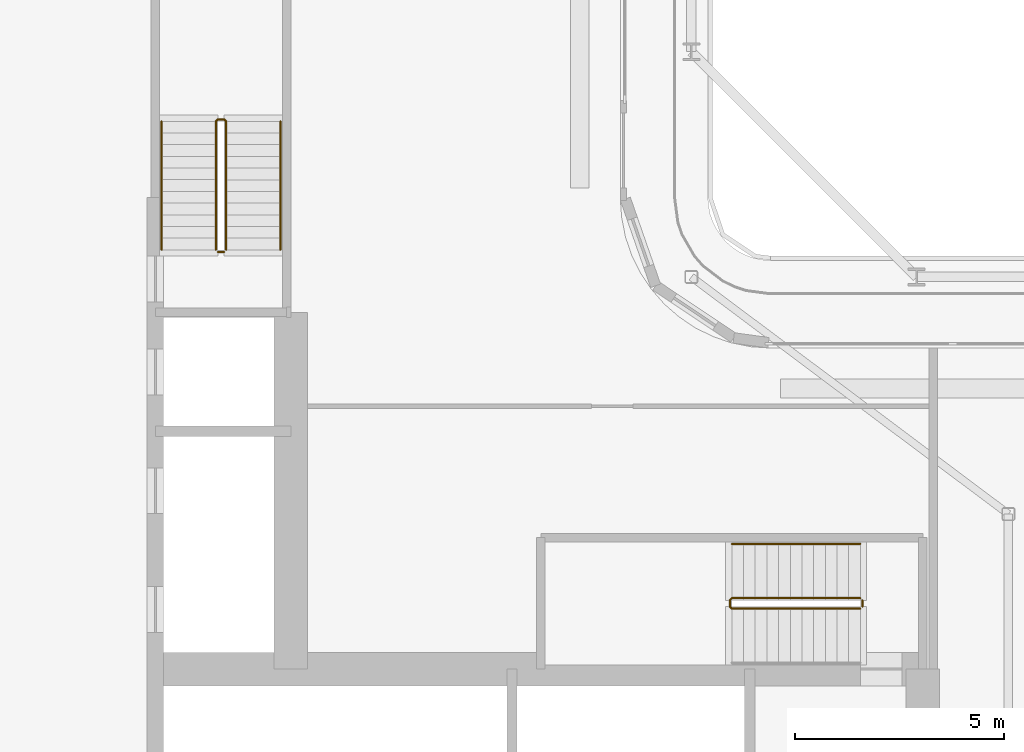
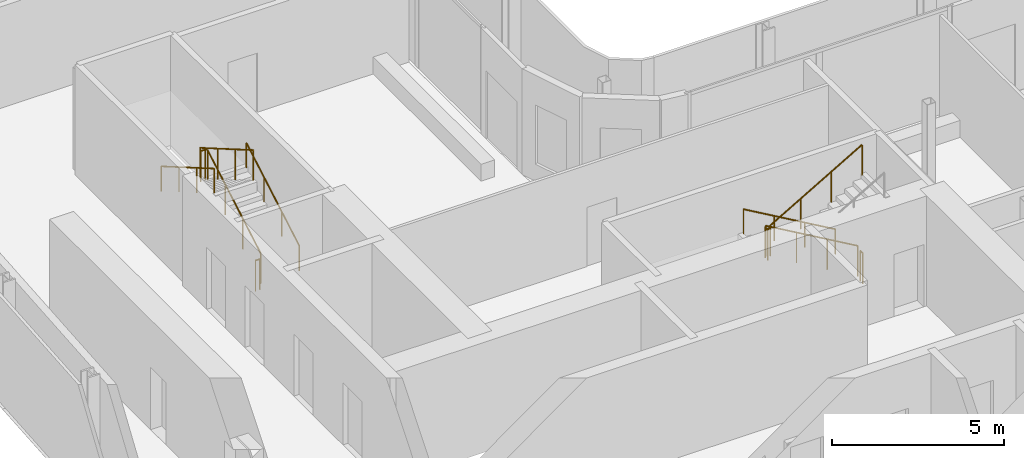
# One storey, part 25 of 30: 7 railings.
"""IFC4 building model written with IfcOpenShell, lengths in metres."""

from ifc_helpers import new_model, si_unit, direction, frame, origin, origin_2d, place, context, subcontext, project, spatial, circle, extrude, material, type_object, element, save


model = new_model("IFC4")

# Units and contexts
model_context = context("Model", 3, precision=1e-05, world=origin(), true_north=direction((0.0, 1.0)))
body_context = subcontext(model_context, "Body", "Model", "MODEL_VIEW")
ifc_project = project(units=[si_unit("LENGTHUNIT", "METRE"), si_unit("AREAUNIT", "SQUARE_METRE"), si_unit("VOLUMEUNIT", "CUBIC_METRE"), si_unit("PLANEANGLEUNIT", "RADIAN"), si_unit("MASSUNIT", "GRAM", prefix="KILO")], contexts=[model_context])

# Site, building, storey
site_placement = place(None, origin())
site = spatial("IfcSite", under=ifc_project, at=site_placement, CompositionType="ELEMENT")
building_placement = place(site_placement, origin())
building = spatial("IfcBuilding", under=site, at=building_placement, Name="Kheshtan School and Residences Tower", CompositionType="ELEMENT")
storey_placement = place(building_placement, frame((0.0, 0.0, 164.300048828125)))
storey = spatial("IfcBuildingStorey", under=building, at=storey_placement, Name="L38", CompositionType="ELEMENT", Elevation=164.300048828125)

# Railings
ifc_material_1 = material(Name="Stainless steel balustrade", Category="steel")
railing_type_1 = type_object("IfcRailingType", Name="Stair guard 1100", PredefinedType="GUARDRAIL", material=ifc_material_1)
railing_1_placement = place(storey_placement, frame((51.64990234375, 37.89990234375, 0.162353515625)))
element("IfcRailing", 1, at=railing_1_placement, inside=storey, type_object=railing_type_1, Name="L38 ST1 stair guard 1", PredefinedType="GUARDRAIL", context=body_context, shape_type="SweptSolid", body=[
    extrude(circle(Radius=0.02392578125, at=origin_2d()), frame((0.0, 0.0, 1.076171875), z_axis=(-0.864873446163, 0.0, 0.501989962173), x_axis=(0.0, -1.0, 0.0)), (0.0, 0.0, 1.0), 3.56103515625),
    extrude(circle(Radius=0.02392578125, at=origin_2d()), frame((-3.079833984375, 0.0, 2.86376953125), z_axis=(-0.708833529934, -0.705375805398, 0.0), x_axis=(0.705375805398, -0.708833529934, 0.0)), (0.0, 0.0, 1.0), 0.070556640625),
    extrude(circle(Radius=0.02392578125, at=origin_2d()), frame((-3.1298828125, -0.0498046875, 2.86376953125), z_axis=(0.0, -1.0, 0.0), x_axis=(1.0, 0.0, 0.0)), (0.0, 0.0, 1.0), 0.150146484375),
    extrude(circle(Radius=0.02392578125, at=origin_2d()), frame((-3.1298828125, -0.199951171875, 2.86376953125), z_axis=(0.282227285176, -0.282227285176, 0.916894497205), x_axis=(0.707106781187, 0.707106781187, 0.0)), (0.0, 0.0, 1.0), 0.17724609375),
    extrude(circle(Radius=0.02392578125, at=origin_2d()), frame((-3.079833984375, -0.25, 3.0263671875), z_axis=(0.864903211148, 0.0, 0.501938676878), x_axis=(0.0, 1.0, 0.0)), (0.0, 0.0, 1.0), 3.560791015625),
    extrude(circle(Radius=0.02099609375, at=origin_2d()), origin(), (0.0, 0.0, 1.0), 1.052001953125),
    extrude(circle(Radius=0.02099609375, at=origin_2d()), frame((-1.026611328125, 0.0, 0.595947265625)), (0.0, 0.0, 1.0), 1.052001953125),
    extrude(circle(Radius=0.02099609375, at=origin_2d()), frame((-2.05322265625, 0.0, 1.191650390625)), (0.0, 0.0, 1.0), 1.052001953125),
    extrude(circle(Radius=0.02099609375, at=origin_2d()), frame((-3.079833984375, 0.0, 1.78759765625)), (0.0, 0.0, 1.0), 1.052001953125),
    extrude(circle(Radius=0.02099609375, at=origin_2d()), frame((-3.1298828125, -0.0498046875, 1.78759765625)), (0.0, 0.0, 1.0), 1.052001953125),
    extrude(circle(Radius=0.02099609375, at=origin_2d()), frame((-3.1298828125, -0.199951171875, 1.78759765625)), (0.0, 0.0, 1.0), 1.052001953125),
    extrude(circle(Radius=0.02099609375, at=origin_2d()), frame((-3.079833984375, -0.25, 1.9501953125)), (0.0, 0.0, 1.0), 1.052001953125),
    extrude(circle(Radius=0.02099609375, at=origin_2d()), frame((-2.05322265625, -0.25, 2.5458984375)), (0.0, 0.0, 1.0), 1.052001953125),
    extrude(circle(Radius=0.02099609375, at=origin_2d()), frame((-1.026611328125, -0.25, 3.141845703125)), (0.0, 0.0, 1.0), 1.052001953125),
    extrude(circle(Radius=0.02099609375, at=origin_2d()), frame((0.0, -0.25, 3.737548828125)), (0.0, 0.0, 1.0), 1.052001953125),
])
railing_2_placement = place(storey_placement, frame((51.699951171875, 37.85009765625, 0.0)))
element("IfcRailing", 2, at=railing_2_placement, inside=storey, type_object=railing_type_1, Name="L38 ST1 stair guard 2", PredefinedType="GUARDRAIL", context=body_context, shape_type="SweptSolid", body=[
    extrude(circle(Radius=0.02392578125, at=origin_2d()), frame((0.0, 0.0, 1.076171875), z_axis=(0.0, -1.0, 0.0), x_axis=(1.0, 0.0, 0.0)), (0.0, 0.0, 1.0), 0.150146484375),
    extrude(circle(Radius=0.02099609375, at=origin_2d()), origin(), (0.0, 0.0, 1.0), 1.052001953125),
    extrude(circle(Radius=0.02099609375, at=origin_2d()), frame((0.0, -0.150146484375, 0.0)), (0.0, 0.0, 1.0), 1.052001953125),
])
railing_3_placement = place(storey_placement, frame((36.449951171875, 46.25, 0.162353515625)))
element("IfcRailing", 3, at=railing_3_placement, inside=storey, type_object=railing_type_1, Name="L38 ST2 stair guard 1", PredefinedType="GUARDRAIL", context=body_context, shape_type="SweptSolid", body=[
    extrude(circle(Radius=0.02392578125, at=origin_2d()), frame((0.0, 0.0, 1.076171875), z_axis=(0.0, 0.864890721111, 0.501960198159), x_axis=(-1.0, 0.0, 0.0)), (0.0, 0.0, 1.0), 3.561279296875),
    extrude(circle(Radius=0.02392578125, at=origin_2d()), frame((0.0, 3.080078125, 2.86376953125), z_axis=(-0.708833529934, 0.705375805398, 0.0), x_axis=(-0.705375805398, -0.708833529934, 0.0)), (0.0, 0.0, 1.0), 0.070556640625),
    extrude(circle(Radius=0.02392578125, at=origin_2d()), frame((-0.050048828125, 3.1298828125, 2.86376953125), z_axis=(-1.0, 0.0, 0.0), x_axis=(0.0, -1.0, 0.0)), (0.0, 0.0, 1.0), 0.14990234375),
    extrude(circle(Radius=0.02392578125, at=origin_2d()), frame((-0.199951171875, 3.1298828125, 2.86376953125), z_axis=(-0.282336740067, -0.280959487676, 0.917250092119), x_axis=(0.705375805398, -0.708833529934, 0.0)), (0.0, 0.0, 1.0), 0.17724609375),
    extrude(circle(Radius=0.02392578125, at=origin_2d()), frame((-0.25, 3.080078125, 3.0263671875), z_axis=(0.0, -0.864920483161, 0.501908913857), x_axis=(1.0, 0.0, 0.0)), (0.0, 0.0, 1.0), 3.56103515625),
    extrude(circle(Radius=0.02099609375, at=origin_2d()), origin(), (0.0, 0.0, 1.0), 1.052001953125),
    extrude(circle(Radius=0.02099609375, at=origin_2d()), frame((0.0, 1.026611328125, 0.595947265625)), (0.0, 0.0, 1.0), 1.052001953125),
    extrude(circle(Radius=0.02099609375, at=origin_2d()), frame((0.0, 2.053466796875, 1.191650390625)), (0.0, 0.0, 1.0), 1.052001953125),
    extrude(circle(Radius=0.02099609375, at=origin_2d()), frame((0.0, 3.080078125, 1.78759765625)), (0.0, 0.0, 1.0), 1.052001953125),
    extrude(circle(Radius=0.02099609375, at=origin_2d()), frame((-0.050048828125, 3.1298828125, 1.78759765625)), (0.0, 0.0, 1.0), 1.052001953125),
    extrude(circle(Radius=0.02099609375, at=origin_2d()), frame((-0.199951171875, 3.1298828125, 1.78759765625)), (0.0, 0.0, 1.0), 1.052001953125),
    extrude(circle(Radius=0.02099609375, at=origin_2d()), frame((-0.25, 3.080078125, 1.9501953125)), (0.0, 0.0, 1.0), 1.052001953125),
    extrude(circle(Radius=0.02099609375, at=origin_2d()), frame((-0.25, 2.053466796875, 2.5458984375)), (0.0, 0.0, 1.0), 1.052001953125),
    extrude(circle(Radius=0.02099609375, at=origin_2d()), frame((-0.25, 1.026611328125, 3.141845703125)), (0.0, 0.0, 1.0), 1.052001953125),
    extrude(circle(Radius=0.02099609375, at=origin_2d()), frame((-0.25, 0.0, 3.737548828125)), (0.0, 0.0, 1.0), 1.052001953125),
])
railing_4_placement = place(storey_placement, frame((36.39990234375, 46.199951171875, 0.0)))
element("IfcRailing", 4, at=railing_4_placement, inside=storey, type_object=railing_type_1, Name="L38 ST2 stair guard 2", PredefinedType="GUARDRAIL", context=body_context, shape_type="SweptSolid", body=[
    extrude(circle(Radius=0.02392578125, at=origin_2d()), frame((0.0, 0.0, 1.076171875), z_axis=(-1.0, 0.0, 0.0), x_axis=(0.0, -1.0, 0.0)), (0.0, 0.0, 1.0), 0.14990234375),
    extrude(circle(Radius=0.02099609375, at=origin_2d()), origin(), (0.0, 0.0, 1.0), 1.052001953125),
    extrude(circle(Radius=0.02099609375, at=origin_2d()), frame((-0.14990234375, 0.0, 0.0)), (0.0, 0.0, 1.0), 1.052001953125),
])
ifc_material_2 = material(Name="Stainless steel handrail", Category="steel")
railing_type_2 = type_object("IfcRailingType", Name="Stair handrail 900", PredefinedType="HANDRAIL", material=ifc_material_2)
railing_5_placement = place(storey_placement, frame((51.64990234375, 39.199951171875, 0.162353515625)))
element("IfcRailing", 5, at=railing_5_placement, inside=storey, type_object=railing_type_2, Name="L38 ST1 stair handrail 1", PredefinedType="HANDRAIL", context=body_context, shape_type="SweptSolid", body=[
    extrude(circle(Radius=0.02392578125, at=origin_2d()), frame((0.0, 0.0, 0.8759765625), z_axis=(-0.864873446163, 0.0, 0.501989962173), x_axis=(0.0, -1.0, 0.0)), (0.0, 0.0, 1.0), 3.56103515625),
    extrude(circle(Radius=0.02099609375, at=origin_2d()), origin(), (0.0, 0.0, 1.0), 0.851806640625),
    extrude(circle(Radius=0.02099609375, at=origin_2d()), frame((-1.026611328125, 0.0, 0.595947265625)), (0.0, 0.0, 1.0), 0.851806640625),
    extrude(circle(Radius=0.02099609375, at=origin_2d()), frame((-2.05322265625, 0.0, 1.191650390625)), (0.0, 0.0, 1.0), 0.851806640625),
    extrude(circle(Radius=0.02099609375, at=origin_2d()), frame((-3.079833984375, 0.0, 1.78759765625)), (0.0, 0.0, 1.0), 0.851806640625),
])
railing_6_placement = place(storey_placement, frame((37.75, 46.25, 0.162353515625)))
element("IfcRailing", 6, at=railing_6_placement, inside=storey, type_object=railing_type_2, Name="L38 ST2 stair handrail 1", PredefinedType="HANDRAIL", context=body_context, shape_type="SweptSolid", body=[
    extrude(circle(Radius=0.02392578125, at=origin_2d()), frame((0.0, 0.0, 0.8759765625), z_axis=(0.0, 0.864890721111, 0.501960198159), x_axis=(-1.0, 0.0, 0.0)), (0.0, 0.0, 1.0), 3.561279296875),
    extrude(circle(Radius=0.02099609375, at=origin_2d()), origin(), (0.0, 0.0, 1.0), 0.851806640625),
    extrude(circle(Radius=0.02099609375, at=origin_2d()), frame((0.0, 1.026611328125, 0.595947265625)), (0.0, 0.0, 1.0), 0.851806640625),
    extrude(circle(Radius=0.02099609375, at=origin_2d()), frame((0.0, 2.053466796875, 1.191650390625)), (0.0, 0.0, 1.0), 0.851806640625),
    extrude(circle(Radius=0.02099609375, at=origin_2d()), frame((0.0, 3.080078125, 1.78759765625)), (0.0, 0.0, 1.0), 0.851806640625),
])
railing_7_placement = place(storey_placement, frame((34.89990234375, 49.330078125, 2.112548828125)))
element("IfcRailing", 7, at=railing_7_placement, inside=storey, type_object=railing_type_2, Name="L38 ST2 stair handrail 2", PredefinedType="HANDRAIL", context=body_context, shape_type="SweptSolid", body=[
    extrude(circle(Radius=0.02392578125, at=origin_2d()), frame((0.0, 0.0, 0.8759765625), z_axis=(0.0, -0.864920483161, 0.501908913857), x_axis=(1.0, 0.0, 0.0)), (0.0, 0.0, 1.0), 3.56103515625),
    extrude(circle(Radius=0.02099609375, at=origin_2d()), origin(), (0.0, 0.0, 1.0), 0.851806640625),
    extrude(circle(Radius=0.02099609375, at=origin_2d()), frame((0.0, -1.026611328125, 0.595703125)), (0.0, 0.0, 1.0), 0.851806640625),
    extrude(circle(Radius=0.02099609375, at=origin_2d()), frame((0.0, -2.053466796875, 1.191650390625)), (0.0, 0.0, 1.0), 0.851806640625),
    extrude(circle(Radius=0.02099609375, at=origin_2d()), frame((0.0, -3.080078125, 1.787353515625)), (0.0, 0.0, 1.0), 0.851806640625),
])

save(model, "model.ifc")
